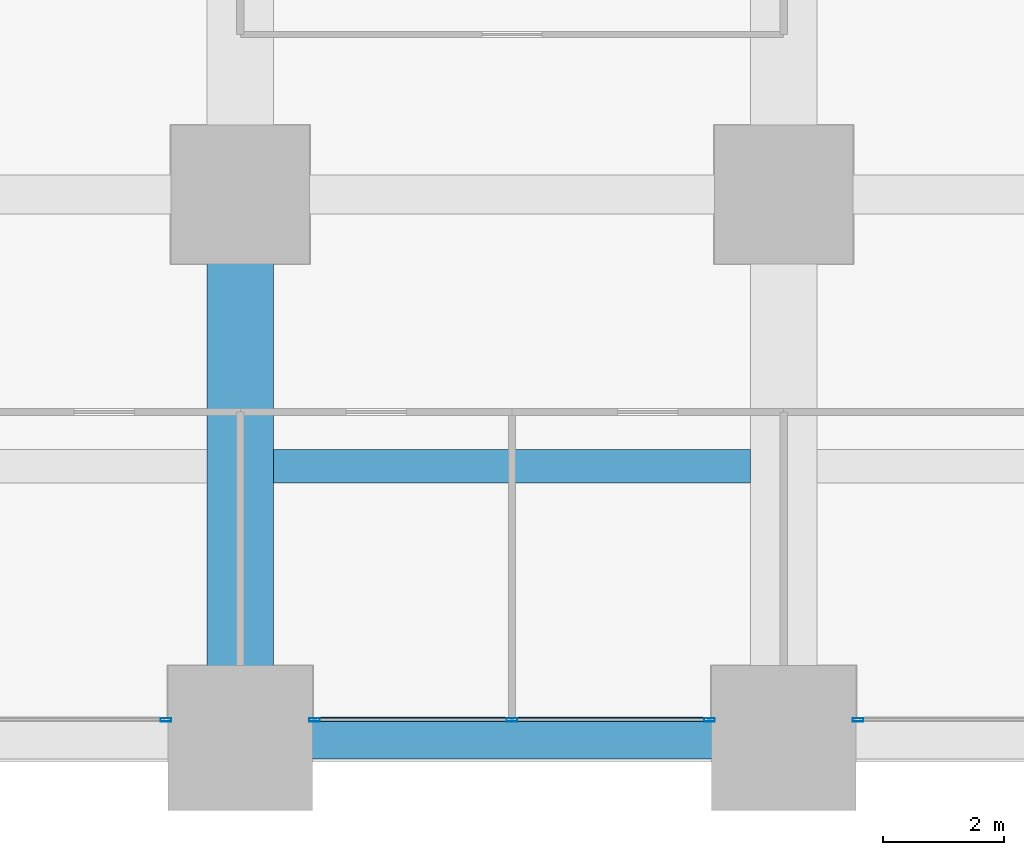
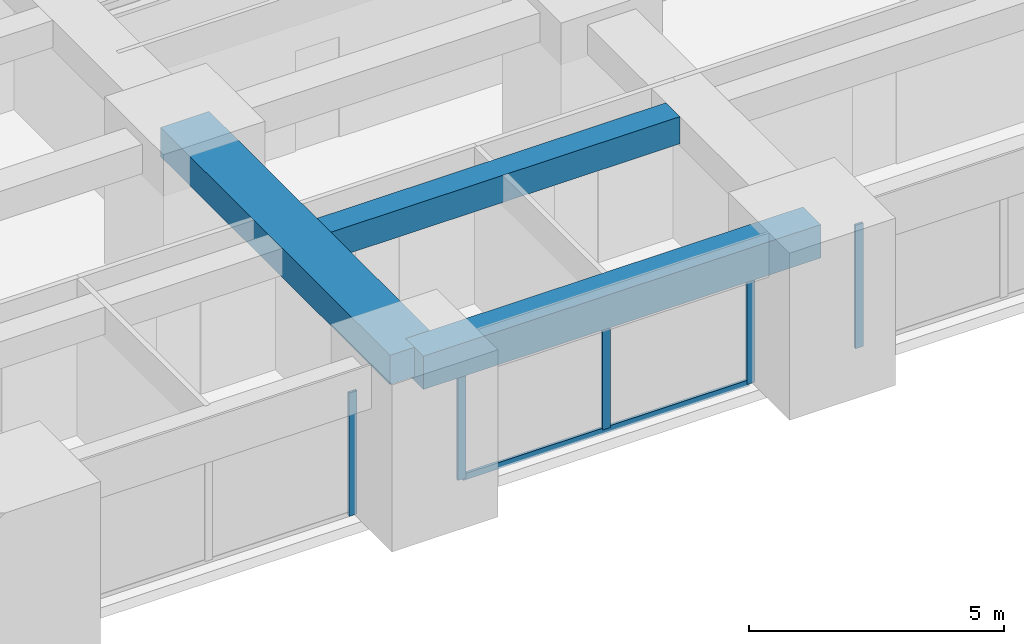
# One storey, part 6 of 45: 6 members, 3 beams, 3 elements without a shape of their own.
"""IFC4 building model written with IfcOpenShell, lengths in metres."""

from ifc_helpers import new_model, si_unit, direction, frame, origin, origin_2d, place, context, subcontext, project, spatial, rectangle, hollow_rectangle, extrude, material, material_profile, profile_set, type_object, element, aggregate, save


model = new_model("IFC4")

# Units and contexts
model_context = context("Model", 3, precision=1e-05, world=origin(), true_north=direction((0.0, 1.0)))
body_context = subcontext(model_context, "Body", "Model", "MODEL_VIEW")
ifc_project = project(units=[si_unit("LENGTHUNIT", "METRE"), si_unit("AREAUNIT", "SQUARE_METRE"), si_unit("VOLUMEUNIT", "CUBIC_METRE"), si_unit("PLANEANGLEUNIT", "RADIAN"), si_unit("MASSUNIT", "GRAM", prefix="KILO")], contexts=[model_context])

# Site, building, storey
site_placement = place(None, origin())
site = spatial("IfcSite", under=ifc_project, at=site_placement, CompositionType="ELEMENT")
building_placement = place(site_placement, origin())
building = spatial("IfcBuilding", under=site, at=building_placement, Name="Zorevar Civic Tower", CompositionType="ELEMENT")
storey_placement = place(building_placement, frame((0.0, 0.0, 39.800048828125)))
storey = spatial("IfcBuildingStorey", under=building, at=storey_placement, Name="L09", CompositionType="ELEMENT", Elevation=39.800048828125)

# Beams
ifc_material_1 = material(Name="Concrete C50/60", Category="concrete")
ifc_material_profile_1 = material_profile(ifc_material_1, rectangle(XDim=1.10009765625, YDim=0.699951171875, at=origin_2d()), Name="RC 1100x700")
ifc_profile_set_1 = profile_set([ifc_material_profile_1], Name="Concrete C50/60")
beam_type_1 = type_object("IfcBeamType", Name="Beam RC 1100x700", PredefinedType="BEAM", material=ifc_profile_set_1)
beam_1_placement = place(storey_placement, frame((18.0, 0.0, 3.39990234375), z_axis=(0.0, 1.0, 0.0), x_axis=(-1.0, 0.0, 0.0)))
element("IfcBeam", 1, at=beam_1_placement, inside=storey, type_object=beam_type_1, Name="Girder L10", PredefinedType="BEAM", context=body_context, shape_type="SweptSolid", body=[
    extrude(rectangle(XDim=1.10009765625, YDim=0.699951171875, at=origin_2d()), origin(), (0.0, 0.0, 1.0), 9.0),
])
ifc_material_2 = material(Name="Concrete C50/60", Category="concrete")
ifc_material_profile_2 = material_profile(ifc_material_2, rectangle(XDim=0.550048828125, YDim=0.64990234375, at=origin_2d()), Name="RC 550x650")
ifc_profile_set_2 = profile_set([ifc_material_profile_2], Name="Concrete C50/60")
beam_type_2 = type_object("IfcBeamType", Name="Beam RC 550x650", PredefinedType="BEAM", material=ifc_profile_set_2)
beam_2_placement = place(storey_placement, frame((18.550048828125, 4.5, 3.425048828125), z_axis=(1.0, 0.0, 0.0), x_axis=(0.0, 1.0, 0.0)))
element("IfcBeam", 2, at=beam_2_placement, inside=storey, type_object=beam_type_2, Name="Secondary beam L10", PredefinedType="BEAM", context=body_context, shape_type="SweptSolid", body=[
    extrude(rectangle(XDim=0.550048828125, YDim=0.64990234375, at=origin_2d()), origin(), (0.0, 0.0, 1.0), 7.89990234375),
])

# Curtain wall, member
ifc_material_3 = material(Name="Dark grey solar-control glass in black aluminium frame", Category="aluminium")
curtain_wall_type = type_object("IfcCurtainWallType", Name="Curtain wall CW2 low zone", PredefinedType="NOTDEFINED", material=ifc_material_3)
curtain_wall_1_placement = place(storey_placement, origin())
curtain_wall_1 = element("IfcCurtainWall", 3, at=curtain_wall_1_placement, inside=storey, type_object=curtain_wall_type, Name="CW2 L09", PredefinedType="NOTDEFINED")
ifc_material_4 = material(Name="Aluminium, black anodised", Category="aluminium")
ifc_material_profile_3 = material_profile(ifc_material_4, hollow_rectangle(XDim=0.06005859375, YDim=0.179931640625, WallThickness=0.00390625, at=origin_2d()), Name="AL 180x60x4")
ifc_profile_set_3 = profile_set([ifc_material_profile_3], Name="Aluminium, black anodised")
member_type_1 = type_object("IfcMemberType", Name="CW2 mullion AL 180x60x4", PredefinedType="MULLION", material=ifc_profile_set_3)
member_1_placement = place(storey_placement, frame((16.77001953125, 0.300048828125, 0.0), z_axis=(0.0, 0.0, 1.0), x_axis=(0.0, 1.0, 0.0)))
member_1 = element("IfcMember", 4, at=member_1_placement, type_object=member_type_1, Name="CW2 mullion 3", PredefinedType="MULLION", context=body_context, shape_type="SweptSolid", body=[
    extrude(hollow_rectangle(XDim=0.06005859375, YDim=0.179931640625, WallThickness=0.00390625, at=origin_2d()), origin(), (0.0, 0.0, 1.0), 2.949951171875),
])
aggregate(curtain_wall_1, [member_1])

# Curtain wall, members
curtain_wall_2_placement = place(storey_placement, origin())
curtain_wall_2 = element("IfcCurtainWall", 5, at=curtain_wall_2_placement, inside=storey, type_object=curtain_wall_type, Name="CW2 L09", PredefinedType="NOTDEFINED")
member_2_placement = place(storey_placement, frame((19.22998046875, 0.300048828125, 0.0), z_axis=(0.0, 0.0, 1.0), x_axis=(0.0, 1.0, 0.0)))
member_2 = element("IfcMember", 6, at=member_2_placement, type_object=member_type_1, Name="CW2 mullion 1", PredefinedType="MULLION", context=body_context, shape_type="SweptSolid", body=[
    extrude(hollow_rectangle(XDim=0.06005859375, YDim=0.179931640625, WallThickness=0.00390625, at=origin_2d()), origin(), (0.0, 0.0, 1.0), 2.949951171875),
])
member_3_placement = place(storey_placement, frame((22.5, 0.300048828125, 0.06005859375), z_axis=(0.0, 0.0, 1.0), x_axis=(0.0, 1.0, 0.0)))
member_3 = element("IfcMember", 7, at=member_3_placement, type_object=member_type_1, Name="CW2 mullion 2", PredefinedType="MULLION", context=body_context, shape_type="SweptSolid", body=[
    extrude(hollow_rectangle(XDim=0.06005859375, YDim=0.179931640625, WallThickness=0.00390625, at=origin_2d()), origin(), (0.0, 0.0, 1.0), 2.889892578125),
])
member_4_placement = place(storey_placement, frame((25.77001953125, 0.300048828125, 0.0), z_axis=(0.0, 0.0, 1.0), x_axis=(0.0, 1.0, 0.0)))
member_4 = element("IfcMember", 8, at=member_4_placement, type_object=member_type_1, Name="CW2 mullion 3", PredefinedType="MULLION", context=body_context, shape_type="SweptSolid", body=[
    extrude(hollow_rectangle(XDim=0.06005859375, YDim=0.179931640625, WallThickness=0.00390625, at=origin_2d()), origin(), (0.0, 0.0, 1.0), 2.949951171875),
])

# Curtain wall, member
curtain_wall_3_placement = place(storey_placement, origin())
curtain_wall_3 = element("IfcCurtainWall", 9, at=curtain_wall_3_placement, inside=storey, type_object=curtain_wall_type, Name="CW2 L09", PredefinedType="NOTDEFINED")
member_5_placement = place(storey_placement, frame((28.22998046875, 0.300048828125, 0.0), z_axis=(0.0, 0.0, 1.0), x_axis=(0.0, 1.0, 0.0)))
member_5 = element("IfcMember", 10, at=member_5_placement, type_object=member_type_1, Name="CW2 mullion 1", PredefinedType="MULLION", context=body_context, shape_type="SweptSolid", body=[
    extrude(hollow_rectangle(XDim=0.06005859375, YDim=0.179931640625, WallThickness=0.00390625, at=origin_2d()), origin(), (0.0, 0.0, 1.0), 2.949951171875),
])
aggregate(curtain_wall_3, [member_5])

# Member
ifc_material_5 = material(Name="Aluminium, black anodised", Category="aluminium")
ifc_material_profile_4 = material_profile(ifc_material_5, hollow_rectangle(XDim=0.06005859375, YDim=0.14990234375, WallThickness=0.00390625, at=origin_2d()), Name="AL 150x60x4")
ifc_profile_set_4 = profile_set([ifc_material_profile_4], Name="Aluminium, black anodised")
member_type_2 = type_object("IfcMemberType", Name="CW2 transom AL 150x60x4", PredefinedType="USERDEFINED", material=ifc_profile_set_4)
member_6_placement = place(storey_placement, frame((19.260009765625, 0.300048828125, 0.030029296875), z_axis=(1.0, 0.0, 0.0), x_axis=(0.0, 1.0, 0.0)))
member_6 = element("IfcMember", 11, at=member_6_placement, type_object=member_type_2, Name="CW2 sill transom", ObjectType="TRANSOM", PredefinedType="USERDEFINED", context=body_context, shape_type="SweptSolid", body=[
    extrude(hollow_rectangle(XDim=0.06005859375, YDim=0.14990234375, WallThickness=0.00390625, at=origin_2d()), origin(), (0.0, 0.0, 1.0), 6.47998046875),
])

aggregate(curtain_wall_2, [member_2, member_3, member_4, member_6])

# Beam
ifc_material_6 = material(Name="Concrete C50/60", Category="concrete")
ifc_material_profile_5 = material_profile(ifc_material_6, rectangle(XDim=0.699951171875, YDim=0.800048828125, at=origin_2d()), Name="RC 700x800")
ifc_profile_set_5 = profile_set([ifc_material_profile_5], Name="Concrete C50/60")
beam_type_3 = type_object("IfcBeamType", Name="Edge beam RC 700x800", PredefinedType="SPANDREL", material=ifc_profile_set_5)
beam_3_placement = place(storey_placement, frame((18.0, 0.0, 3.349853515625), z_axis=(1.0, 0.0, 0.0), x_axis=(0.0, 1.0, 0.0)))
element("IfcBeam", 12, at=beam_3_placement, inside=storey, type_object=beam_type_3, Name="Edge beam L10", PredefinedType="SPANDREL", context=body_context, shape_type="SweptSolid", body=[
    extrude(rectangle(XDim=0.699951171875, YDim=0.800048828125, at=origin_2d()), origin(), (0.0, 0.0, 1.0), 9.0),
])

save(model, "model.ifc")
